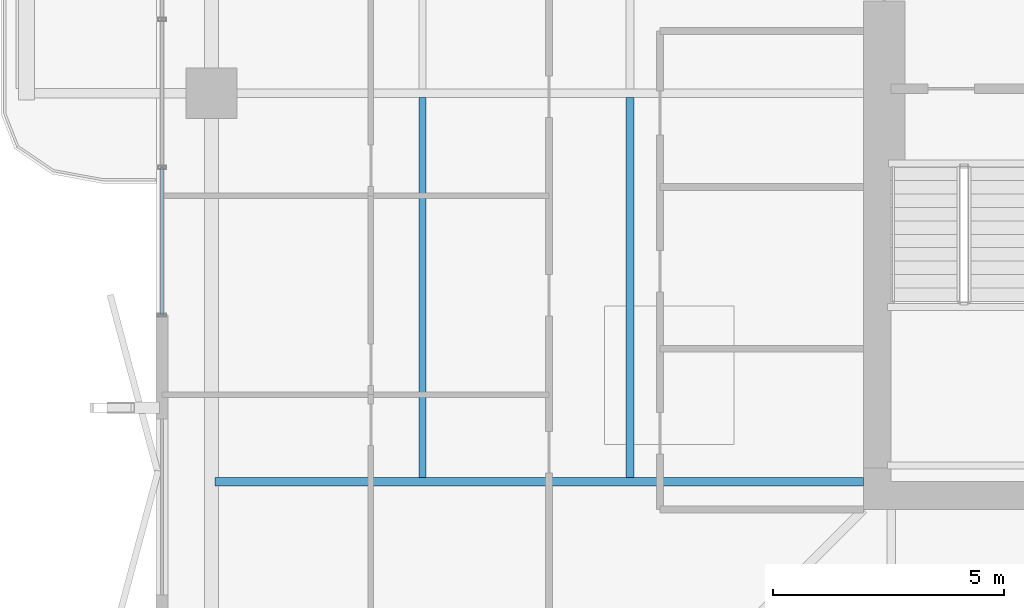
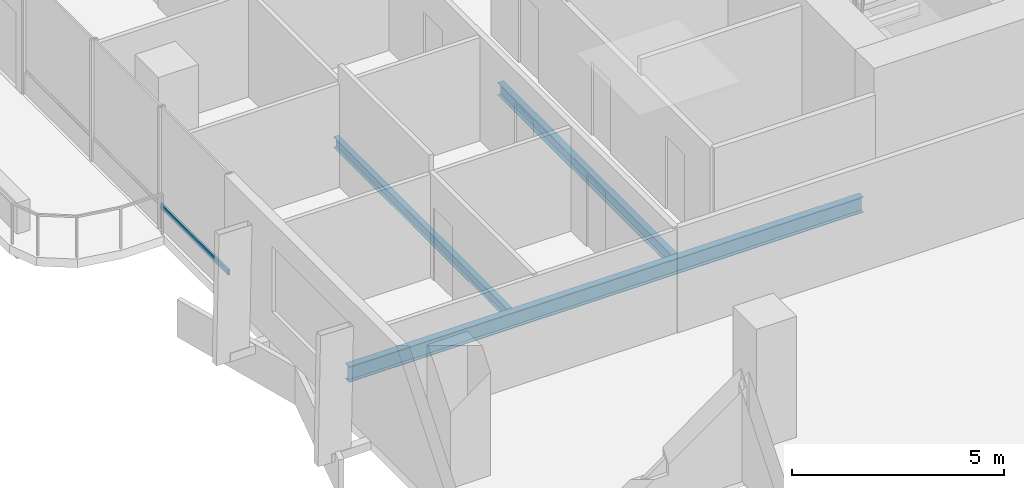
# One storey, part 5 of 25: 3 beams, 1 member, 1 element without a shape of its own.
"""IFC4 building model written with IfcOpenShell, lengths in metres."""

import ifcopenshell
import ifcopenshell.guid

model = None  # the IFC model being written
_history = None  # IfcOwnerHistory: only IFC2X3 demands one
_inside = {}  # id of a spatial element -> (the spatial element, [elements in it])
_under = {}  # id of a project, library or spatial element -> (it, [spatial elements below it])
_declared = {}  # id of a project -> (the project, [libraries it declares])
_typed = {}  # id of a type object -> (the type object, [elements of that type])
_made_of = {}  # id of a material, layer set ... -> (it, [elements and type objects made of it])


def new_model(schema):
    """Start an empty IFC model of exactly this schema.

    Asked for "IFC4X3", IfcOpenShell would pick the latest addendum, in which some entities
    have other attributes; the version numbers below select the first issue.
    IFC2X3 requires an IfcOwnerHistory on every rooted entity: one is made here for all.
    """
    global model, _history
    if schema == "IFC4X3":
        model = ifcopenshell.file(schema_version=(4, 3, 0, 0))
    else:
        model = ifcopenshell.file(schema=schema)
    _inside.clear()
    _under.clear()
    _declared.clear()
    _typed.clear()
    _made_of.clear()
    _history = None
    if model.schema == "IFC2X3":
        org = make("IfcOrganization", Name="unknown")
        user = make(
            "IfcPersonAndOrganization",
            ThePerson=make("IfcPerson", FamilyName="unknown"),
            TheOrganization=org,
        )
        app = make(
            "IfcApplication",
            ApplicationDeveloper=org,
            Version="unknown",
            ApplicationFullName="unknown",
            ApplicationIdentifier="unknown",
        )
        _history = make(
            "IfcOwnerHistory",
            OwningUser=user,
            OwningApplication=app,
            ChangeAction="ADDED",
            CreationDate=0,
        )
    return model


def make(cls, **values):
    """One entity of the class cls with the attributes given. An attribute that is None is left unset."""
    return model.create_entity(
        cls, **{name: value for name, value in values.items() if value is not None}
    )


def rooted(cls, **values):
    """An entity with a GlobalId (a new one), such as an element, a storey or a relation."""
    return make(cls, GlobalId=ifcopenshell.guid.new(), OwnerHistory=_history, **values)


def si_unit(unit_type, name, prefix=None):
    """IfcSIUnit, for example si_unit("LENGTHUNIT", "METRE", prefix="MILLI")."""
    return make("IfcSIUnit", UnitType=unit_type, Prefix=prefix, Name=name)


def assignment(units):
    """IfcUnitAssignment: the units of a project."""
    return None if units is None else make("IfcUnitAssignment", Units=units)


def point(xyz):
    """IfcCartesianPoint."""
    return None if xyz is None else make("IfcCartesianPoint", Coordinates=xyz)


def direction(xyz):
    """IfcDirection."""
    return None if xyz is None else make("IfcDirection", DirectionRatios=xyz)


def frame(location, z_axis=None, x_axis=None):
    """IfcAxis2Placement3D, a coordinate frame: its origin and axes. An axis left out is left unset."""
    return make(
        "IfcAxis2Placement3D",
        Location=point(location),
        Axis=direction(z_axis),
        RefDirection=direction(x_axis),
    )


def frame_2d(location, x_axis=None):
    """IfcAxis2Placement2D, a coordinate frame in the plane: its origin and x axis."""
    return make(
        "IfcAxis2Placement2D", Location=point(location), RefDirection=direction(x_axis)
    )


def origin():
    """The frame at (0, 0, 0) with its axes left unset."""
    return frame((0.0, 0.0, 0.0))


def origin_2d():
    """The frame at (0, 0) in the plane with its x axis left unset."""
    return frame_2d((0.0, 0.0))


def place(relative_to, where):
    """IfcLocalPlacement: puts the frame where relative to a parent placement (None: the world)."""
    return make(
        "IfcLocalPlacement", PlacementRelTo=relative_to, RelativePlacement=where
    )


def context(
    kind, dimensions, precision=None, world=None, true_north=None, identifier=None
):
    """IfcGeometricRepresentationContext, for example the 3D "Model" context."""
    return make(
        "IfcGeometricRepresentationContext",
        ContextIdentifier=identifier,
        ContextType=kind,
        CoordinateSpaceDimension=dimensions,
        Precision=precision,
        WorldCoordinateSystem=world,
        TrueNorth=true_north,
    )


def subcontext(parent, identifier, kind, view, scale=None):
    """IfcGeometricRepresentationSubContext, for example "Body" below "Model"."""
    return make(
        "IfcGeometricRepresentationSubContext",
        ContextIdentifier=identifier,
        ContextType=kind,
        ParentContext=parent,
        TargetScale=scale,
        TargetView=view,
    )


def project(units=None, contexts=None):
    """IfcProject with its units and contexts."""
    return rooted(
        "IfcProject",
        Name="project",
        RepresentationContexts=contexts,
        UnitsInContext=assignment(units),
    )


def spatial(cls, under=None, at=None, **own):
    """A site, building, storey or space (cls), placed at a placement, below another one or the project."""
    s = rooted(cls, ObjectPlacement=at, **own)
    if under is not None:
        _under.setdefault(under.id(), (under, []))[1].append(s)
    return s


def profile(cls, at=None, kind="AREA", **sizes):
    """A parametric profile (cls). Its sizes go by their IFC names, for example OverallWidth=200.0."""
    return make(cls, ProfileType=kind, Position=at, **sizes)


def hollow_rectangle(**sizes):
    """IfcRectangleHollowProfileDef."""
    return profile("IfcRectangleHollowProfileDef", **sizes)


def i_section(**sizes):
    """IfcIShapeProfileDef."""
    return profile("IfcIShapeProfileDef", **sizes)


def extrude(swept, where, along, depth):
    """IfcExtrudedAreaSolid: the profile swept, set in the frame where, extruded along a direction by depth."""
    return make(
        "IfcExtrudedAreaSolid",
        SweptArea=swept,
        Position=where,
        ExtrudedDirection=direction(along),
        Depth=depth,
    )


def shape(context_of_items, identifier, shape_type, items):
    """IfcShapeRepresentation: the items that make up one representation, for example the "Body"."""
    return make(
        "IfcShapeRepresentation",
        ContextOfItems=context_of_items,
        RepresentationIdentifier=identifier,
        RepresentationType=shape_type,
        Items=items,
    )


def material(Name=None, Category=None):
    """IfcMaterial."""
    return make("IfcMaterial", Name=Name, Category=Category)


def layer(
    of_material, thickness, ventilated=None, Name=None, Category=None, Priority=None
):
    """IfcMaterialLayer: one layer of a wall or slab, of a material (None: an air gap)."""
    return make(
        "IfcMaterialLayer",
        Material=of_material,
        LayerThickness=thickness,
        IsVentilated=ventilated,
        Name=Name,
        Category=Category,
        Priority=Priority,
    )


def layer_set(layers, Name=None):
    """IfcMaterialLayerSet."""
    return make("IfcMaterialLayerSet", MaterialLayers=layers, LayerSetName=Name)


def material_profile(
    of_material, cross_section, Name=None, Category=None, Priority=None
):
    """IfcMaterialProfile: a cross section and its material."""
    return make(
        "IfcMaterialProfile",
        Name=Name,
        Material=of_material,
        Profile=cross_section,
        Priority=Priority,
        Category=Category,
    )


def profile_set(profiles, Name=None, composite=None):
    """IfcMaterialProfileSet."""
    return make(
        "IfcMaterialProfileSet",
        Name=Name,
        MaterialProfiles=profiles,
        CompositeProfile=composite,
    )


def made_of(thing, what):
    """Note that an element or type object is made of a material, layer set ...; save() writes the relation."""
    if what is not None:
        _made_of.setdefault(what.id(), (what, []))[1].append(thing)
    return thing


def type_object(cls, material=None, **own):
    """A type object (cls), such as IfcWallType, which elements share."""
    return made_of(rooted(cls, **own), material)


def element(
    cls,
    number,
    at=None,
    inside=None,
    cuts=None,
    type_object=None,
    material=None,
    context=None,
    identifier="Body",
    shape_type=None,
    held_by="IfcProductDefinitionShape",
    body=None,
    shapes=None,
    **own,
):
    """One element of the class cls, such as IfcWall. Its Tag is "e" and its number.

    at: its placement. inside: the storey or other place that contains it. cuts: it is an
    opening in that element (IfcRelVoidsElement). A single representation is given by context,
    identifier, shape_type and body (its items); several are given by shapes. held_by: the class
    of the entity that holds the representations. save() writes the other relations.
    """
    e = rooted(cls, Tag="e%d" % number, ObjectPlacement=at, **own)
    if body is not None:
        shapes = [shape(context, identifier, shape_type, body)]
    if shapes is not None:
        e.Representation = make(held_by, Representations=shapes)
    if inside is not None:
        _inside.setdefault(inside.id(), (inside, []))[1].append(e)
    if cuts is not None:
        rooted(
            "IfcRelVoidsElement", RelatingBuildingElement=cuts, RelatedOpeningElement=e
        )
    if type_object is not None:
        _typed.setdefault(type_object.id(), (type_object, []))[1].append(e)
    return made_of(e, material)


def aggregate(whole, parts):
    """IfcRelAggregates: a whole, such as a stair, and the parts it consists of."""
    return rooted("IfcRelAggregates", RelatingObject=whole, RelatedObjects=parts)


def save(model, path):
    """Write the relations noted so far, then the file.

    IfcRelAggregates (storeys below a building ...), IfcRelContainedInSpatialStructure (elements
    in a storey), IfcRelDefinesByType, IfcRelAssociatesMaterial and IfcRelDeclares: one each for
    every whole, place, type object, material and project.
    """
    for whole, parts in _under.values():
        aggregate(whole, parts)
    for where, things in _inside.values():
        rooted(
            "IfcRelContainedInSpatialStructure",
            RelatedElements=things,
            RelatingStructure=where,
        )
    for kind, things in _typed.values():
        rooted("IfcRelDefinesByType", RelatedObjects=things, RelatingType=kind)
    for what, things in _made_of.values():
        rooted("IfcRelAssociatesMaterial", RelatedObjects=things, RelatingMaterial=what)
    for by, libraries in _declared.values():
        rooted("IfcRelDeclares", RelatingContext=by, RelatedDefinitions=libraries)
    model.write(path)


model = new_model("IFC4")

# Units and contexts
model_context = context("Model", 3, precision=1e-05, world=origin(), true_north=direction((0.0, 1.0)))
body_context = subcontext(model_context, "Body", "Model", "MODEL_VIEW")
ifc_project = project(units=[si_unit("LENGTHUNIT", "METRE"), si_unit("AREAUNIT", "SQUARE_METRE"), si_unit("VOLUMEUNIT", "CUBIC_METRE"), si_unit("PLANEANGLEUNIT", "RADIAN"), si_unit("MASSUNIT", "GRAM", prefix="KILO")], contexts=[model_context])

# Site, building, storey
site_placement = place(None, origin())
site = spatial("IfcSite", under=ifc_project, at=site_placement, CompositionType="ELEMENT")
building_placement = place(site_placement, origin())
building = spatial("IfcBuilding", under=site, at=building_placement, Name="Belovzor Exchange Tower", CompositionType="ELEMENT")
storey_placement = place(building_placement, frame((0.0, 0.0, 172.050048828125)))
storey = spatial("IfcBuildingStorey", under=building, at=storey_placement, Name="L42", CompositionType="ELEMENT", Elevation=172.050048828125)

# Beams
ifc_material_1 = material(Name="Steel S355", Category="steel")
ifc_material_profile_1 = material_profile(ifc_material_1, i_section(OverallWidth=0.169921875, OverallDepth=0.360107421875, WebThickness=0.008056640625, FlangeThickness=0.0126953125, at=origin_2d()))
ifc_profile_set_1 = profile_set([ifc_material_profile_1], Name="Steel S355")
beam_type_1 = type_object("IfcBeamType", Name="Secondary Infill Floor Joist IPE 360", PredefinedType="BEAM", material=ifc_profile_set_1)
beam_1_placement = place(storey_placement, frame((14.7509765625, 20.4951171875, -0.43505859375), z_axis=(0.0, 1.0, 0.0), x_axis=(-1.0, 0.0, 0.0)))
element("IfcBeam", 1, at=beam_1_placement, inside=storey, type_object=beam_type_1, Name="FJ-360 Secondary Infill Floor Joist IPE 360", PredefinedType="BEAM", context=body_context, shape_type="SweptSolid", body=[
    extrude(i_section(OverallWidth=0.169921875, OverallDepth=0.360107421875, WebThickness=0.008056640625, FlangeThickness=0.0126953125, at=origin_2d()), origin(), (0.0, 0.0, 1.0), 8.2099609375),
])
ifc_material_2 = material(Name="Steel S355", Category="steel")
ifc_material_profile_2 = material_profile(ifc_material_2, i_section(OverallWidth=0.14990234375, OverallDepth=0.300048828125, WebThickness=0.007080078125, FlangeThickness=0.0107421875, at=origin_2d()))
ifc_profile_set_2 = profile_set([ifc_material_profile_2], Name="Steel S355")
beam_type_2 = type_object("IfcBeamType", Name="Secondary Trim Floor Joist IPE 300", PredefinedType="BEAM", material=ifc_profile_set_2)
beam_2_placement = place(storey_placement, frame((10.262939453125, 20.4951171875, -0.405029296875), z_axis=(0.0, 1.0, 0.0), x_axis=(-1.0, 0.0, 0.0)))
element("IfcBeam", 2, at=beam_2_placement, inside=storey, type_object=beam_type_2, Name="FJ-300 Secondary Trim Floor Joist IPE 300", PredefinedType="BEAM", context=body_context, shape_type="SweptSolid", body=[
    extrude(i_section(OverallWidth=0.14990234375, OverallDepth=0.300048828125, WebThickness=0.007080078125, FlangeThickness=0.0107421875, at=origin_2d()), origin(), (0.0, 0.0, 1.0), 8.2099609375),
])

# Curtain wall, member
ifc_material_3 = material(Name="Anodised Aluminium Framing", Category="aluminium")
ifc_layer = layer(ifc_material_3, 0.179931640625)
ifc_layer_set = layer_set([ifc_layer], Name="Anodised Aluminium Framing")
curtain_wall_type = type_object("IfcCurtainWallType", Name="Recessed Loggia Low-Iron Triple-Glazed Curtain Wall", PredefinedType="NOTDEFINED", material=ifc_layer_set)
curtain_wall_placement = place(storey_placement, origin())
curtain_wall = element("IfcCurtainWall", 3, at=curtain_wall_placement, inside=storey, type_object=curtain_wall_type, Name="CW3 Recessed Loggia Low-Iron Triple-Glazed Curtain Wall L42", PredefinedType="NOTDEFINED")
ifc_material_4 = material(Name="Steel S355", Category="steel")
ifc_material_profile_3 = material_profile(ifc_material_4, hollow_rectangle(XDim=0.06005859375, YDim=0.14990234375, WallThickness=0.00390625, at=origin_2d()))
ifc_profile_set_3 = profile_set([ifc_material_profile_3], Name="Steel S355")
member_type = type_object("IfcMemberType", Name="Thermally Broken Curtain Wall Transom 150x60", PredefinedType="USERDEFINED", material=ifc_profile_set_3)
member_placement = place(storey_placement, frame((4.6298828125, 24.008056640625, 0.62890625), z_axis=(0.0, 1.0, 0.0), x_axis=(-1.0, 0.0, 0.0)))
member = element("IfcMember", 4, at=member_placement, type_object=member_type, Name="CW-T150 Curtain Wall Transom 1", ObjectType="TRANSOM", PredefinedType="USERDEFINED", context=body_context, shape_type="SweptSolid", body=[
    extrude(hollow_rectangle(XDim=0.06005859375, YDim=0.14990234375, WallThickness=0.00390625, at=origin_2d()), origin(), (0.0, 0.0, 1.0), 3.183837890625),
])
aggregate(curtain_wall, [member])

# Beam
ifc_material_5 = material(Name="Steel S355", Category="steel")
ifc_material_profile_4 = material_profile(ifc_material_5, i_section(OverallWidth=0.18994140625, OverallDepth=0.449951171875, WebThickness=0.009521484375, FlangeThickness=0.0146484375, at=origin_2d()))
ifc_profile_set_4 = profile_set([ifc_material_profile_4], Name="Steel S355")
beam_type_3 = type_object("IfcBeamType", Name="Zone 2-4 Radial Composite Floor Beam IPE 450", PredefinedType="BEAM", material=ifc_profile_set_4)
beam_3_placement = place(storey_placement, frame((19.800048828125, 20.39990234375, -0.47998046875), z_axis=(-1.0, 0.0, 0.0), x_axis=(0.0, -1.0, 0.0)))
element("IfcBeam", 5, at=beam_3_placement, inside=storey, type_object=beam_type_3, Name="FB-450 Zone 2-4 Radial Composite Floor Beam IPE 450", PredefinedType="BEAM", context=body_context, shape_type="SweptSolid", body=[
    extrude(i_section(OverallWidth=0.18994140625, OverallDepth=0.449951171875, WebThickness=0.009521484375, FlangeThickness=0.0146484375, at=origin_2d()), origin(), (0.0, 0.0, 1.0), 14.025146484375),
])

save(model, "model.ifc")
